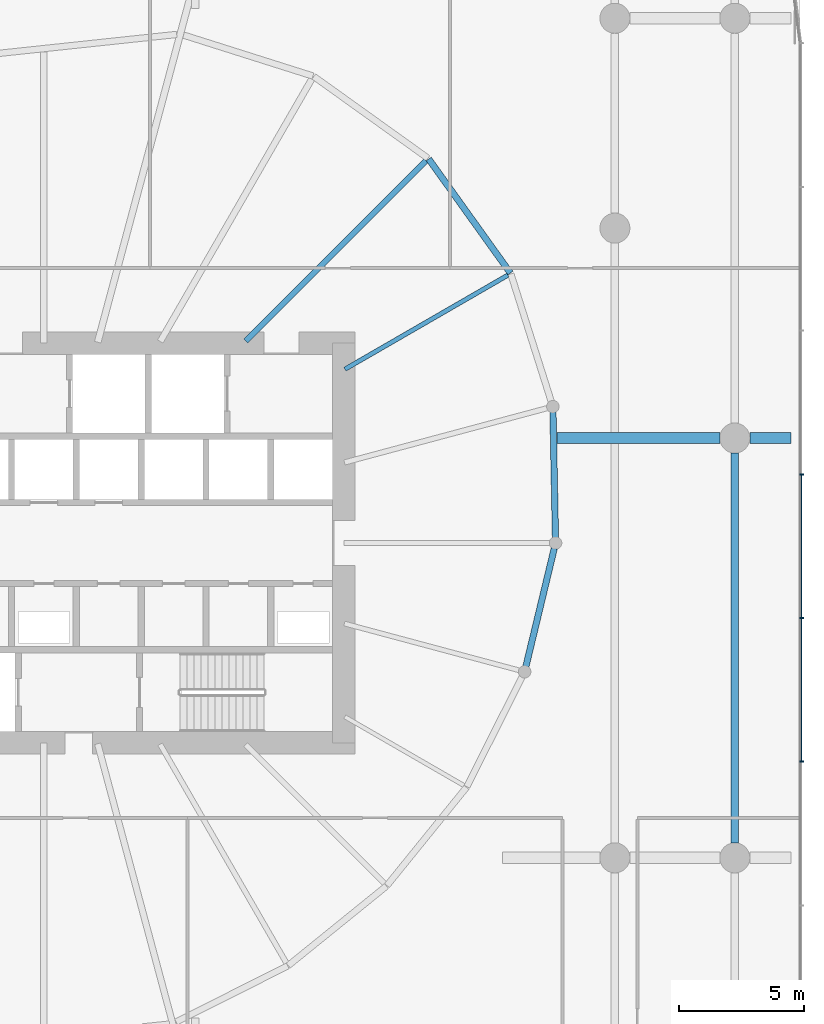
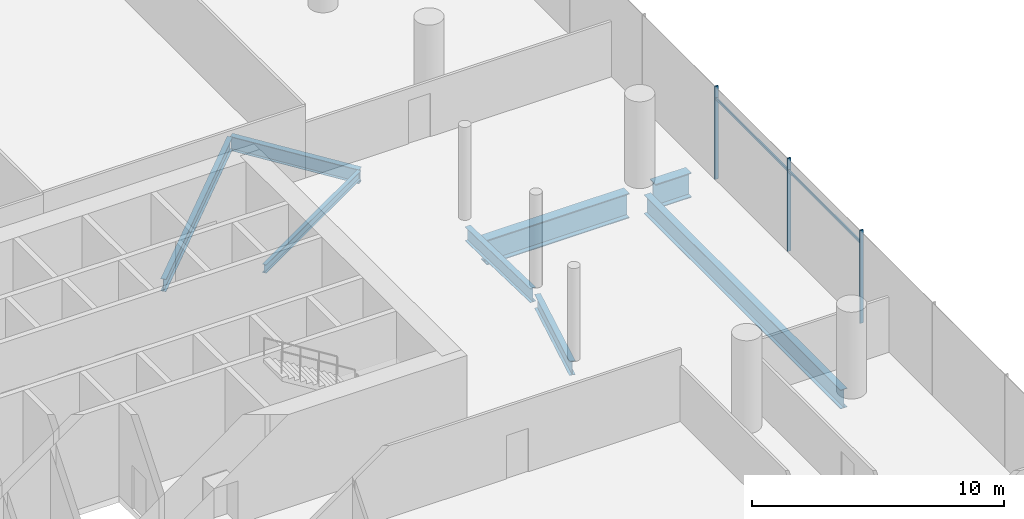
# One storey, part 16 of 43: 8 beams, 5 members, 1 element without a shape of its own.
"""IFC4 building model written with IfcOpenShell, lengths in metres."""

import ifcopenshell
import ifcopenshell.guid

model = None  # the IFC model being written
_history = None  # IfcOwnerHistory: only IFC2X3 demands one
_inside = {}  # id of a spatial element -> (the spatial element, [elements in it])
_under = {}  # id of a project, library or spatial element -> (it, [spatial elements below it])
_declared = {}  # id of a project -> (the project, [libraries it declares])
_typed = {}  # id of a type object -> (the type object, [elements of that type])
_made_of = {}  # id of a material, layer set ... -> (it, [elements and type objects made of it])


def new_model(schema):
    """Start an empty IFC model of exactly this schema.

    Asked for "IFC4X3", IfcOpenShell would pick the latest addendum, in which some entities
    have other attributes; the version numbers below select the first issue.
    IFC2X3 requires an IfcOwnerHistory on every rooted entity: one is made here for all.
    """
    global model, _history
    if schema == "IFC4X3":
        model = ifcopenshell.file(schema_version=(4, 3, 0, 0))
    else:
        model = ifcopenshell.file(schema=schema)
    _inside.clear()
    _under.clear()
    _declared.clear()
    _typed.clear()
    _made_of.clear()
    _history = None
    if model.schema == "IFC2X3":
        org = make("IfcOrganization", Name="unknown")
        user = make(
            "IfcPersonAndOrganization",
            ThePerson=make("IfcPerson", FamilyName="unknown"),
            TheOrganization=org,
        )
        app = make(
            "IfcApplication",
            ApplicationDeveloper=org,
            Version="unknown",
            ApplicationFullName="unknown",
            ApplicationIdentifier="unknown",
        )
        _history = make(
            "IfcOwnerHistory",
            OwningUser=user,
            OwningApplication=app,
            ChangeAction="ADDED",
            CreationDate=0,
        )
    return model


def make(cls, **values):
    """One entity of the class cls with the attributes given. An attribute that is None is left unset."""
    return model.create_entity(
        cls, **{name: value for name, value in values.items() if value is not None}
    )


def rooted(cls, **values):
    """An entity with a GlobalId (a new one), such as an element, a storey or a relation."""
    return make(cls, GlobalId=ifcopenshell.guid.new(), OwnerHistory=_history, **values)


def si_unit(unit_type, name, prefix=None):
    """IfcSIUnit, for example si_unit("LENGTHUNIT", "METRE", prefix="MILLI")."""
    return make("IfcSIUnit", UnitType=unit_type, Prefix=prefix, Name=name)


def assignment(units):
    """IfcUnitAssignment: the units of a project."""
    return None if units is None else make("IfcUnitAssignment", Units=units)


def point(xyz):
    """IfcCartesianPoint."""
    return None if xyz is None else make("IfcCartesianPoint", Coordinates=xyz)


def direction(xyz):
    """IfcDirection."""
    return None if xyz is None else make("IfcDirection", DirectionRatios=xyz)


def frame(location, z_axis=None, x_axis=None):
    """IfcAxis2Placement3D, a coordinate frame: its origin and axes. An axis left out is left unset."""
    return make(
        "IfcAxis2Placement3D",
        Location=point(location),
        Axis=direction(z_axis),
        RefDirection=direction(x_axis),
    )


def frame_2d(location, x_axis=None):
    """IfcAxis2Placement2D, a coordinate frame in the plane: its origin and x axis."""
    return make(
        "IfcAxis2Placement2D", Location=point(location), RefDirection=direction(x_axis)
    )


def origin():
    """The frame at (0, 0, 0) with its axes left unset."""
    return frame((0.0, 0.0, 0.0))


def origin_2d():
    """The frame at (0, 0) in the plane with its x axis left unset."""
    return frame_2d((0.0, 0.0))


def place(relative_to, where):
    """IfcLocalPlacement: puts the frame where relative to a parent placement (None: the world)."""
    return make(
        "IfcLocalPlacement", PlacementRelTo=relative_to, RelativePlacement=where
    )


def context(
    kind, dimensions, precision=None, world=None, true_north=None, identifier=None
):
    """IfcGeometricRepresentationContext, for example the 3D "Model" context."""
    return make(
        "IfcGeometricRepresentationContext",
        ContextIdentifier=identifier,
        ContextType=kind,
        CoordinateSpaceDimension=dimensions,
        Precision=precision,
        WorldCoordinateSystem=world,
        TrueNorth=true_north,
    )


def subcontext(parent, identifier, kind, view, scale=None):
    """IfcGeometricRepresentationSubContext, for example "Body" below "Model"."""
    return make(
        "IfcGeometricRepresentationSubContext",
        ContextIdentifier=identifier,
        ContextType=kind,
        ParentContext=parent,
        TargetScale=scale,
        TargetView=view,
    )


def project(units=None, contexts=None):
    """IfcProject with its units and contexts."""
    return rooted(
        "IfcProject",
        Name="project",
        RepresentationContexts=contexts,
        UnitsInContext=assignment(units),
    )


def spatial(cls, under=None, at=None, **own):
    """A site, building, storey or space (cls), placed at a placement, below another one or the project."""
    s = rooted(cls, ObjectPlacement=at, **own)
    if under is not None:
        _under.setdefault(under.id(), (under, []))[1].append(s)
    return s


def profile(cls, at=None, kind="AREA", **sizes):
    """A parametric profile (cls). Its sizes go by their IFC names, for example OverallWidth=200.0."""
    return make(cls, ProfileType=kind, Position=at, **sizes)


def rectangle(**sizes):
    """IfcRectangleProfileDef."""
    return profile("IfcRectangleProfileDef", **sizes)


def i_section(**sizes):
    """IfcIShapeProfileDef."""
    return profile("IfcIShapeProfileDef", **sizes)


def extrude(swept, where, along, depth):
    """IfcExtrudedAreaSolid: the profile swept, set in the frame where, extruded along a direction by depth."""
    return make(
        "IfcExtrudedAreaSolid",
        SweptArea=swept,
        Position=where,
        ExtrudedDirection=direction(along),
        Depth=depth,
    )


def shape(context_of_items, identifier, shape_type, items):
    """IfcShapeRepresentation: the items that make up one representation, for example the "Body"."""
    return make(
        "IfcShapeRepresentation",
        ContextOfItems=context_of_items,
        RepresentationIdentifier=identifier,
        RepresentationType=shape_type,
        Items=items,
    )


def material(Name=None, Category=None):
    """IfcMaterial."""
    return make("IfcMaterial", Name=Name, Category=Category)


def material_profile(
    of_material, cross_section, Name=None, Category=None, Priority=None
):
    """IfcMaterialProfile: a cross section and its material."""
    return make(
        "IfcMaterialProfile",
        Name=Name,
        Material=of_material,
        Profile=cross_section,
        Priority=Priority,
        Category=Category,
    )


def profile_set(profiles, Name=None, composite=None):
    """IfcMaterialProfileSet."""
    return make(
        "IfcMaterialProfileSet",
        Name=Name,
        MaterialProfiles=profiles,
        CompositeProfile=composite,
    )


def made_of(thing, what):
    """Note that an element or type object is made of a material, layer set ...; save() writes the relation."""
    if what is not None:
        _made_of.setdefault(what.id(), (what, []))[1].append(thing)
    return thing


def type_object(cls, material=None, **own):
    """A type object (cls), such as IfcWallType, which elements share."""
    return made_of(rooted(cls, **own), material)


def element(
    cls,
    number,
    at=None,
    inside=None,
    cuts=None,
    type_object=None,
    material=None,
    context=None,
    identifier="Body",
    shape_type=None,
    held_by="IfcProductDefinitionShape",
    body=None,
    shapes=None,
    **own,
):
    """One element of the class cls, such as IfcWall. Its Tag is "e" and its number.

    at: its placement. inside: the storey or other place that contains it. cuts: it is an
    opening in that element (IfcRelVoidsElement). A single representation is given by context,
    identifier, shape_type and body (its items); several are given by shapes. held_by: the class
    of the entity that holds the representations. save() writes the other relations.
    """
    e = rooted(cls, Tag="e%d" % number, ObjectPlacement=at, **own)
    if body is not None:
        shapes = [shape(context, identifier, shape_type, body)]
    if shapes is not None:
        e.Representation = make(held_by, Representations=shapes)
    if inside is not None:
        _inside.setdefault(inside.id(), (inside, []))[1].append(e)
    if cuts is not None:
        rooted(
            "IfcRelVoidsElement", RelatingBuildingElement=cuts, RelatedOpeningElement=e
        )
    if type_object is not None:
        _typed.setdefault(type_object.id(), (type_object, []))[1].append(e)
    return made_of(e, material)


def aggregate(whole, parts):
    """IfcRelAggregates: a whole, such as a stair, and the parts it consists of."""
    return rooted("IfcRelAggregates", RelatingObject=whole, RelatedObjects=parts)


def save(model, path):
    """Write the relations noted so far, then the file.

    IfcRelAggregates (storeys below a building ...), IfcRelContainedInSpatialStructure (elements
    in a storey), IfcRelDefinesByType, IfcRelAssociatesMaterial and IfcRelDeclares: one each for
    every whole, place, type object, material and project.
    """
    for whole, parts in _under.values():
        aggregate(whole, parts)
    for where, things in _inside.values():
        rooted(
            "IfcRelContainedInSpatialStructure",
            RelatedElements=things,
            RelatingStructure=where,
        )
    for kind, things in _typed.values():
        rooted("IfcRelDefinesByType", RelatedObjects=things, RelatingType=kind)
    for what, things in _made_of.values():
        rooted("IfcRelAssociatesMaterial", RelatedObjects=things, RelatingMaterial=what)
    for by, libraries in _declared.values():
        rooted("IfcRelDeclares", RelatingContext=by, RelatedDefinitions=libraries)
    model.write(path)


model = new_model("IFC4")

# Units and contexts
model_context = context("Model", 3, precision=1e-05, world=origin(), true_north=direction((0.0, 1.0)))
body_context = subcontext(model_context, "Body", "Model", "MODEL_VIEW")
ifc_project = project(units=[si_unit("LENGTHUNIT", "METRE"), si_unit("AREAUNIT", "SQUARE_METRE"), si_unit("VOLUMEUNIT", "CUBIC_METRE"), si_unit("PLANEANGLEUNIT", "RADIAN"), si_unit("MASSUNIT", "GRAM", prefix="KILO")], contexts=[model_context])

# Site, building, storey
site_placement = place(None, origin())
site = spatial("IfcSite", under=ifc_project, at=site_placement, CompositionType="ELEMENT")
building_placement = place(site_placement, origin())
building = spatial("IfcBuilding", under=site, at=building_placement, Name="Rimbun Link Towers", CompositionType="ELEMENT")
storey_placement = place(building_placement, frame((0.0, 0.0, 12.0)))
storey = spatial("IfcBuildingStorey", under=building, at=storey_placement, Name="L02", CompositionType="ELEMENT", Elevation=12.0)

# Curtain wall, members
ifc_material_1 = material(Name="Aluminium 6063-T6 and low-iron glass", Category="aluminium")
curtain_wall_type = type_object("IfcCurtainWallType", Name="CW3 podium shopfront", PredefinedType="NOTDEFINED", material=ifc_material_1)
curtain_wall_placement = place(storey_placement, origin())
curtain_wall = element("IfcCurtainWall", 1, at=curtain_wall_placement, inside=storey, type_object=curtain_wall_type, Name="CW3 L02 PD", PredefinedType="NOTDEFINED")
ifc_material_2 = material(Name="Aluminium 6063-T6", Category="aluminium")
ifc_material_profile_1 = material_profile(ifc_material_2, rectangle(XDim=0.14990234375, YDim=0.06005859375, at=origin_2d()), Name="MULLION 60X150")
ifc_profile_set_1 = profile_set([ifc_material_profile_1], Name="Aluminium 6063-T6")
member_type_1 = type_object("IfcMemberType", Name="CW3 mullion 60X150", PredefinedType="MULLION", material=ifc_profile_set_1)
member_1_placement = place(storey_placement, frame((62.074951171875, -8.75, 0.0), z_axis=(0.0, 0.0, 1.0), x_axis=(1.0, 0.0, 0.0)))
member_1 = element("IfcMember", 2, at=member_1_placement, type_object=member_type_1, Name="CW3 mullion", PredefinedType="MULLION", context=body_context, shape_type="SweptSolid", body=[
    extrude(rectangle(XDim=0.14990234375, YDim=0.06005859375, at=origin_2d()), origin(), (0.0, 0.0, 1.0), 4.5),
])
member_2_placement = place(storey_placement, frame((62.074951171875, -3.0, 0.0), z_axis=(0.0, 0.0, 1.0), x_axis=(1.0, 0.0, 0.0)))
member_2 = element("IfcMember", 3, at=member_2_placement, type_object=member_type_1, Name="CW3 mullion", PredefinedType="MULLION", context=body_context, shape_type="SweptSolid", body=[
    extrude(rectangle(XDim=0.14990234375, YDim=0.06005859375, at=origin_2d()), origin(), (0.0, 0.0, 1.0), 4.5),
])
member_3_placement = place(storey_placement, frame((62.074951171875, 2.75, 0.0), z_axis=(0.0, 0.0, 1.0), x_axis=(1.0, 0.0, 0.0)))
member_3 = element("IfcMember", 4, at=member_3_placement, type_object=member_type_1, Name="CW3 mullion", PredefinedType="MULLION", context=body_context, shape_type="SweptSolid", body=[
    extrude(rectangle(XDim=0.14990234375, YDim=0.06005859375, at=origin_2d()), origin(), (0.0, 0.0, 1.0), 4.5),
])
ifc_material_3 = material(Name="Aluminium 6063-T6", Category="aluminium")
ifc_material_profile_2 = material_profile(ifc_material_3, rectangle(XDim=0.06005859375, YDim=0.1201171875, at=origin_2d()), Name="TRANSOM 60X120")
ifc_profile_set_2 = profile_set([ifc_material_profile_2], Name="Aluminium 6063-T6")
member_type_2 = type_object("IfcMemberType", Name="CW3 transom 60X120", PredefinedType="USERDEFINED", material=ifc_profile_set_2)
member_4_placement = place(storey_placement, frame((62.053955078125, -3.030029296875, 3.89990234375), z_axis=(0.0, -1.0, 0.0), x_axis=(1.0, 0.0, 0.0)))
member_4 = element("IfcMember", 5, at=member_4_placement, type_object=member_type_2, Name="CW3 transom", ObjectType="TRANSOM", PredefinedType="USERDEFINED", context=body_context, shape_type="SweptSolid", body=[
    extrude(rectangle(XDim=0.06005859375, YDim=0.1201171875, at=origin_2d()), origin(), (0.0, 0.0, 1.0), 5.68994140625),
])
member_5_placement = place(storey_placement, frame((62.053955078125, 2.719970703125, 3.89990234375), z_axis=(0.0, -1.0, 0.0), x_axis=(1.0, 0.0, 0.0)))
member_5 = element("IfcMember", 6, at=member_5_placement, type_object=member_type_2, Name="CW3 transom", ObjectType="TRANSOM", PredefinedType="USERDEFINED", context=body_context, shape_type="SweptSolid", body=[
    extrude(rectangle(XDim=0.06005859375, YDim=0.1201171875, at=origin_2d()), origin(), (0.0, 0.0, 1.0), 5.68994140625),
])
aggregate(curtain_wall, [member_1, member_2, member_3, member_4, member_5])

# Beams
ifc_material_4 = material(Name="Steel S355J2", Category="steel")
ifc_material_profile_3 = material_profile(ifc_material_4, i_section(OverallWidth=0.449951171875, OverallDepth=1.199951171875, WebThickness=0.030029296875, FlangeThickness=0.044921875, at=origin_2d()), Name="PG 1200x450x30/45")
ifc_profile_set_3 = profile_set([ifc_material_profile_3], Name="Steel S355J2")
beam_type_1 = type_object("IfcBeamType", Name="PG 1200x450x30/45", PredefinedType="BEAM", material=ifc_profile_set_3)
beam_1_placement = place(storey_placement, frame((52.275634765625, 4.199951171875, -0.89990234375), z_axis=(1.0, 0.0, 0.0), x_axis=(0.0, 1.0, 0.0)))
element("IfcBeam", 7, at=beam_1_placement, inside=storey, type_object=beam_type_1, Name="Grid beam L02 +4.2", PredefinedType="BEAM", context=body_context, shape_type="SweptSolid", body=[
    extrude(i_section(OverallWidth=0.449951171875, OverallDepth=1.199951171875, WebThickness=0.030029296875, FlangeThickness=0.044921875, at=origin_2d()), origin(), (0.0, 0.0, 1.0), 6.5244140625),
])
beam_2_placement = place(storey_placement, frame((60.0, 4.199951171875, -0.89990234375), z_axis=(1.0, 0.0, 0.0), x_axis=(0.0, 1.0, 0.0)))
element("IfcBeam", 8, at=beam_2_placement, inside=storey, type_object=beam_type_1, Name="Grid beam L02 +4.2", PredefinedType="BEAM", context=body_context, shape_type="SweptSolid", body=[
    extrude(i_section(OverallWidth=0.449951171875, OverallDepth=1.199951171875, WebThickness=0.030029296875, FlangeThickness=0.044921875, at=origin_2d()), origin(), (0.0, 0.0, 1.0), 1.649169921875),
])
ifc_material_5 = material(Name="Steel S355J2", Category="steel")
ifc_material_profile_4 = material_profile(ifc_material_5, i_section(OverallWidth=0.177978515625, OverallDepth=0.406494140625, WebThickness=0.0078125, FlangeThickness=0.0126953125, at=origin_2d()), Name="UB 406x178x60")
ifc_profile_set_4 = profile_set([ifc_material_profile_4], Name="Steel S355J2")
beam_type_2 = type_object("IfcBeamType", Name="UB 406x178x60", PredefinedType="BEAM", material=ifc_profile_set_4)
beam_3_placement = place(storey_placement, frame((43.79541015625, 6.954345703125, -0.503173828125), z_axis=(0.866023167905, 0.500003872636, 0.0), x_axis=(-0.500003872636, 0.866023167905, 0.0)))
element("IfcBeam", 9, at=beam_3_placement, inside=storey, type_object=beam_type_2, Name="Radial beam T2 L02 23", PredefinedType="BEAM", context=body_context, shape_type="SweptSolid", body=[
    extrude(i_section(OverallWidth=0.177978515625, OverallDepth=0.406494140625, WebThickness=0.0078125, FlangeThickness=0.0126953125, at=origin_2d()), origin(), (0.0, 0.0, 1.0), 7.53466796875),
])
ifc_material_6 = material(Name="Steel S355J2", Category="steel")
ifc_material_profile_5 = material_profile(ifc_material_6, i_section(OverallWidth=0.2275390625, OverallDepth=0.6025390625, WebThickness=0.010498046875, FlangeThickness=0.014892578125, at=origin_2d()), Name="UB 610x229x101")
ifc_profile_set_5 = profile_set([ifc_material_profile_5], Name="Steel S355J2")
beam_type_3 = type_object("IfcBeamType", Name="UB 610x229x101", PredefinedType="BEAM", material=ifc_profile_set_5)
beam_4_placement = place(storey_placement, frame((39.831298828125, 8.081298828125, -0.601318359375), z_axis=(0.707106781187, 0.707106781187, 0.0), x_axis=(-0.707106781187, 0.707106781187, 0.0)))
element("IfcBeam", 10, at=beam_4_placement, inside=storey, type_object=beam_type_3, Name="Radial beam T2 L02 00", PredefinedType="BEAM", context=body_context, shape_type="SweptSolid", body=[
    extrude(i_section(OverallWidth=0.2275390625, OverallDepth=0.6025390625, WebThickness=0.010498046875, FlangeThickness=0.014892578125, at=origin_2d()), origin(), (0.0, 0.0, 1.0), 10.20263671875),
])
ifc_material_7 = material(Name="Steel S355J2", Category="steel")
ifc_material_profile_6 = material_profile(ifc_material_7, i_section(OverallWidth=0.253662109375, OverallDepth=0.68359375, WebThickness=0.012451171875, FlangeThickness=0.01904296875, at=origin_2d()), Name="UB 686x254x140")
ifc_profile_set_6 = profile_set([ifc_material_profile_6], Name="Steel S355J2")
beam_type_4 = type_object("IfcBeamType", Name="UB 686x254x140", PredefinedType="BEAM", material=ifc_profile_set_6)
beam_5_placement = place(storey_placement, frame((51.039794921875, -4.9404296875, -0.641845703125), z_axis=(0.23356672239, 0.972340776781, 0.0), x_axis=(-0.972340776781, 0.23356672239, 0.0)))
element("IfcBeam", 11, at=beam_5_placement, inside=storey, type_object=beam_type_4, Name="Edge beam T2 L02 20", PredefinedType="BEAM", context=body_context, shape_type="SweptSolid", body=[
    extrude(i_section(OverallWidth=0.253662109375, OverallDepth=0.68359375, WebThickness=0.012451171875, FlangeThickness=0.01904296875, at=origin_2d()), origin(), (0.0, 0.0, 1.0), 4.860595703125),
])
beam_6_placement = place(storey_placement, frame((52.22216796875, 0.220458984375, -0.641845703125), z_axis=(-0.01980243284, 0.999803912602, 0.0), x_axis=(-0.999803912602, -0.01980243284, 0.0)))
element("IfcBeam", 12, at=beam_6_placement, inside=storey, type_object=beam_type_4, Name="Edge beam T2 L02 21", PredefinedType="BEAM", context=body_context, shape_type="SweptSolid", body=[
    extrude(i_section(OverallWidth=0.253662109375, OverallDepth=0.68359375, WebThickness=0.012451171875, FlangeThickness=0.01904296875, at=origin_2d()), origin(), (0.0, 0.0, 1.0), 5.017822265625),
])
beam_7_placement = place(storey_placement, frame((50.419189453125, 10.802978515625, -0.641845703125), z_axis=(-0.582327447223, 0.81295433095, 0.0), x_axis=(-0.81295433095, -0.582327447223, 0.0)))
element("IfcBeam", 13, at=beam_7_placement, inside=storey, type_object=beam_type_4, Name="Edge beam T2 L02 23", PredefinedType="BEAM", context=body_context, shape_type="SweptSolid", body=[
    extrude(i_section(OverallWidth=0.253662109375, OverallDepth=0.68359375, WebThickness=0.012451171875, FlangeThickness=0.01904296875, at=origin_2d()), origin(), (0.0, 0.0, 1.0), 5.615966796875),
])
ifc_material_8 = material(Name="Steel S355J2", Category="steel")
ifc_material_profile_7 = material_profile(ifc_material_8, i_section(OverallWidth=0.305419921875, OverallDepth=0.91845703125, WebThickness=0.017333984375, FlangeThickness=0.02783203125, at=origin_2d()), Name="UB 914x305x253")
ifc_profile_set_7 = profile_set([ifc_material_profile_7], Name="Steel S355J2")
beam_type_5 = type_object("IfcBeamType", Name="UB 914x305x253", PredefinedType="BEAM", material=ifc_profile_set_7)
beam_8_placement = place(storey_placement, frame((59.39990234375, -12.0, -0.75927734375), z_axis=(0.0, 1.0, 0.0), x_axis=(-1.0, 0.0, 0.0)))
element("IfcBeam", 14, at=beam_8_placement, inside=storey, type_object=beam_type_5, Name="Grid beam L02 +59.4", PredefinedType="BEAM", context=body_context, shape_type="SweptSolid", body=[
    extrude(i_section(OverallWidth=0.305419921875, OverallDepth=0.91845703125, WebThickness=0.017333984375, FlangeThickness=0.02783203125, at=origin_2d()), origin(), (0.0, 0.0, 1.0), 15.60009765625),
])

save(model, "model.ifc")
